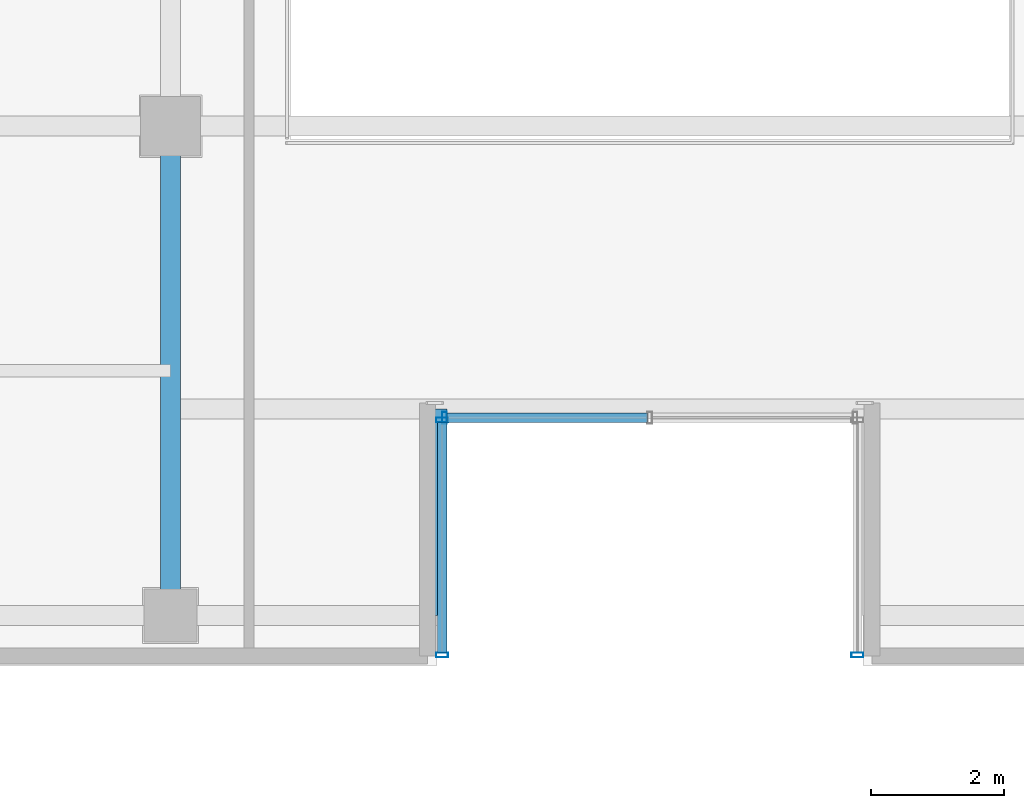
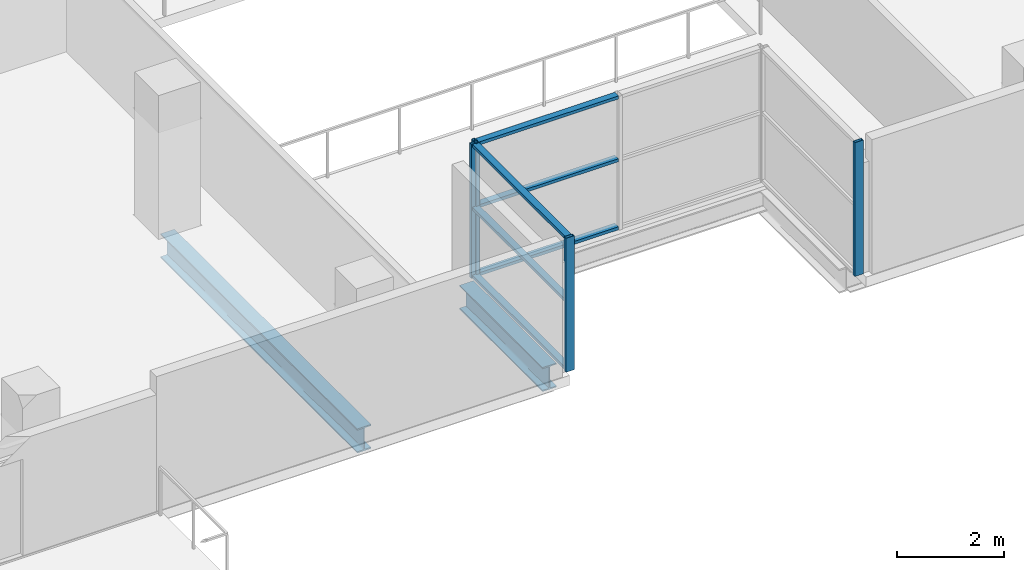
# One storey, part 6 of 25: 10 members, 2 beams, 3 elements without a shape of their own.
"""IFC4 building model written with IfcOpenShell, lengths in metres."""

from ifc_helpers import new_model, si_unit, direction, frame, origin, origin_2d, place, context, subcontext, project, spatial, hollow_rectangle, i_section, extrude, source, transform, mapped, material, layer, layer_set, material_profile, profile_set, type_object, element, aggregate, save


model = new_model("IFC4")

# Units and contexts
model_context = context("Model", 3, precision=1e-05, world=origin(), true_north=direction((0.0, 1.0)))
body_context = subcontext(model_context, "Body", "Model", "MODEL_VIEW")
ifc_project = project(units=[si_unit("LENGTHUNIT", "METRE"), si_unit("AREAUNIT", "SQUARE_METRE"), si_unit("VOLUMEUNIT", "CUBIC_METRE"), si_unit("PLANEANGLEUNIT", "RADIAN"), si_unit("MASSUNIT", "GRAM", prefix="KILO")], contexts=[model_context])

# Site, building, storey
site_placement = place(None, origin())
site = spatial("IfcSite", under=ifc_project, at=site_placement, CompositionType="ELEMENT")
building_placement = place(site_placement, origin())
building = spatial("IfcBuilding", under=site, at=building_placement, Name="Zarnakvel Exchange Tower", CompositionType="ELEMENT")
storey_placement = place(building_placement, frame((0.0, 0.0, 126.39990234375)))
storey = spatial("IfcBuildingStorey", under=building, at=storey_placement, Name="L35", CompositionType="ELEMENT", Elevation=126.39990234375)

# Beams
ifc_material_1 = material(Name="Steel S355", Category="steel")
ifc_material_profile_1 = material_profile(ifc_material_1, i_section(OverallWidth=0.300048828125, OverallDepth=0.550048828125, WebThickness=0.014892578125, FlangeThickness=0.029052734375, FilletRadius=0.027099609375, at=origin_2d()))
ifc_profile_set_1 = profile_set([ifc_material_profile_1], Name="Steel S355")
beam_type = type_object("IfcBeamType", Name="G-05", PredefinedType="BEAM", material=ifc_profile_set_1)
beam_1_placement = place(storey_placement, frame((-3.199951171875, -16.949951171875, -0.5), z_axis=(0.0, 1.0, 0.0), x_axis=(-1.0, 0.0, 0.0)))
element("IfcBeam", 1, at=beam_1_placement, inside=storey, type_object=beam_type, Name="L35 South Slot West Cheek Beam", PredefinedType="BEAM", context=body_context, shape_type="SweptSolid", body=[
    extrude(i_section(OverallWidth=0.300048828125, OverallDepth=0.550048828125, WebThickness=0.014892578125, FlangeThickness=0.029052734375, FilletRadius=0.027099609375, at=origin_2d()), origin(), (0.0, 0.0, 1.0), 3.099853515625),
])
beam_2_placement = place(storey_placement, frame((-7.199951171875, -16.949951171875, -0.5), z_axis=(0.0, 1.0, 0.0), x_axis=(-1.0, 0.0, 0.0)))
element("IfcBeam", 2, at=beam_2_placement, inside=storey, type_object=beam_type, Name="L35 Tower N-S Frame Beam", PredefinedType="BEAM", context=body_context, shape_type="SweptSolid", body=[
    extrude(i_section(OverallWidth=0.300048828125, OverallDepth=0.550048828125, WebThickness=0.014892578125, FlangeThickness=0.029052734375, FilletRadius=0.027099609375, at=origin_2d()), origin(), (0.0, 0.0, 1.0), 7.349853515625),
])

# Curtain wall, members
ifc_material_2 = material(Name="Architectural Bronze Anodised Aluminium", Category="aluminium")
ifc_layer = layer(ifc_material_2, 0.179931640625)
ifc_layer_set = layer_set([ifc_layer], Name="Architectural Bronze Anodised Aluminium")
curtain_wall_type = type_object("IfcCurtainWallType", Name="CW-05", PredefinedType="NOTDEFINED", material=ifc_layer_set)
curtain_wall_1_placement = place(storey_placement, origin())
curtain_wall_1 = element("IfcCurtainWall", 3, at=curtain_wall_1_placement, inside=storey, type_object=curtain_wall_type, Name="L35 Curtain Wall CW-L35-SLW (CW-05)", PredefinedType="NOTDEFINED")
ifc_material_profile_2 = material_profile(ifc_material_2, hollow_rectangle(XDim=0.179931640625, YDim=0.070068359375, WallThickness=0.00390625, at=origin_2d()))
ifc_profile_set_2 = profile_set([ifc_material_profile_2], Name="Architectural Bronze Anodised Aluminium")
member_type_1 = type_object("IfcMemberType", Name="CWM-05", PredefinedType="MULLION", material=ifc_profile_set_2)
shared_shape_1 = source(origin(), body_context, "Body", "SweptSolid", [
    extrude(hollow_rectangle(XDim=0.179931640625, YDim=0.070068359375, WallThickness=0.00390625, at=origin_2d()), origin(), (0.0, 0.0, 1.0), 3.05517578125),
])
member_1_placement = place(storey_placement, frame((-3.1201171875, -17.544921875, 0.0), z_axis=(0.0, 0.0, 1.0), x_axis=(-1.0, 0.0, 0.0)))
member_1 = element("IfcMember", 4, at=member_1_placement, type_object=member_type_1, Name="CW-05 mullion 1", PredefinedType="MULLION", context=body_context, shape_type="MappedRepresentation", body=[
    mapped(shared_shape_1, transform((0.0, 0.0, 0.0), x_axis=(1.0, 0.0, 0.0), y_axis=(0.0, 1.0, 0.0), z_axis=(0.0, 0.0, 1.0), scale=1.0)),
])
member_2_placement = place(storey_placement, frame((-3.1201171875, -14.014892578125, 0.0), z_axis=(0.0, 0.0, 1.0), x_axis=(-1.0, 0.0, 0.0)))
member_2 = element("IfcMember", 5, at=member_2_placement, type_object=member_type_1, Name="CW-05 mullion 2", PredefinedType="MULLION", context=body_context, shape_type="MappedRepresentation", body=[
    mapped(shared_shape_1, transform((0.0, 0.0, 0.0), x_axis=(1.0, 0.0, 0.0), y_axis=(0.0, 1.0, 0.0), z_axis=(0.0, 0.0, 1.0), scale=1.0)),
])

# Curtain wall, member
curtain_wall_2_placement = place(storey_placement, origin())
curtain_wall_2 = element("IfcCurtainWall", 6, at=curtain_wall_2_placement, inside=storey, type_object=curtain_wall_type, Name="L35 Curtain Wall CW-L35-SLB (CW-05)", PredefinedType="NOTDEFINED")
member_3_placement = place(storey_placement, frame((-3.0849609375, -13.97998046875, 0.0), z_axis=(0.0, 0.0, 1.0), x_axis=(0.0, 1.0, 0.0)))
member_3 = element("IfcMember", 7, at=member_3_placement, type_object=member_type_1, Name="CW-05 mullion 1", PredefinedType="MULLION", context=body_context, shape_type="MappedRepresentation", body=[
    mapped(shared_shape_1, transform((0.0, 0.0, 0.0), x_axis=(1.0, 0.0, 0.0), y_axis=(0.0, 1.0, 0.0), z_axis=(0.0, 0.0, 1.0), scale=1.0)),
])

curtain_wall_3_placement = place(storey_placement, origin())
curtain_wall_3 = element("IfcCurtainWall", 8, at=curtain_wall_3_placement, inside=storey, type_object=curtain_wall_type, Name="L35 Curtain Wall CW-L35-SLE (CW-05)", PredefinedType="NOTDEFINED")
member_4_placement = place(storey_placement, frame((3.1201171875, -17.544921875, 0.0), z_axis=(0.0, 0.0, 1.0), x_axis=(1.0, 0.0, 0.0)))
member_4 = element("IfcMember", 9, at=member_4_placement, type_object=member_type_1, Name="CW-05 mullion 2", PredefinedType="MULLION", context=body_context, shape_type="MappedRepresentation", body=[
    mapped(shared_shape_1, transform((0.0, 0.0, 0.0), x_axis=(1.0, 0.0, 0.0), y_axis=(0.0, 1.0, 0.0), z_axis=(0.0, 0.0, 1.0), scale=1.0)),
])
aggregate(curtain_wall_3, [member_4])

# Member
ifc_material_profile_3 = material_profile(ifc_material_2, hollow_rectangle(XDim=0.139892578125, YDim=0.070068359375, WallThickness=0.00390625, at=origin_2d()))
ifc_profile_set_3 = profile_set([ifc_material_profile_3], Name="Architectural Bronze Anodised Aluminium")
member_type_2 = type_object("IfcMemberType", Name="CWT-05", PredefinedType="USERDEFINED", material=ifc_profile_set_3)
shared_shape_2 = source(origin(), body_context, "Body", "SweptSolid", [
    extrude(hollow_rectangle(XDim=0.139892578125, YDim=0.070068359375, WallThickness=0.00390625, at=origin_2d()), origin(), (0.0, 0.0, 1.0), 3.4599609375),
])
member_5_placement = place(storey_placement, frame((-3.1201171875, -17.510009765625, 0.03515625), z_axis=(0.0, 1.0, 0.0), x_axis=(-1.0, 0.0, 0.0)))
member_5 = element("IfcMember", 10, at=member_5_placement, type_object=member_type_2, Name="CW-05 transom 1.1", ObjectType="TRANSOM", PredefinedType="USERDEFINED", context=body_context, shape_type="MappedRepresentation", body=[
    mapped(shared_shape_2, transform((0.0, 0.0, 0.0), x_axis=(1.0, 0.0, 0.0), y_axis=(0.0, 1.0, 0.0), z_axis=(0.0, 0.0, 1.0), scale=1.0)),
])

member_6_placement = place(storey_placement, frame((-3.1201171875, -17.510009765625, 1.588623046875), z_axis=(0.0, 1.0, 0.0), x_axis=(-1.0, 0.0, 0.0)))
member_6 = element("IfcMember", 11, at=member_6_placement, type_object=member_type_2, Name="CW-05 transom 1.2", ObjectType="TRANSOM", PredefinedType="USERDEFINED", context=body_context, shape_type="MappedRepresentation", body=[
    mapped(shared_shape_2, transform((0.0, 0.0, 0.0), x_axis=(1.0, 0.0, 0.0), y_axis=(0.0, 1.0, 0.0), z_axis=(0.0, 0.0, 1.0), scale=1.0)),
])

member_7_placement = place(storey_placement, frame((-3.1201171875, -17.510009765625, 3.02001953125), z_axis=(0.0, 1.0, 0.0), x_axis=(-1.0, 0.0, 0.0)))
member_7 = element("IfcMember", 12, at=member_7_placement, type_object=member_type_2, Name="CW-05 transom 1.3", ObjectType="TRANSOM", PredefinedType="USERDEFINED", context=body_context, shape_type="MappedRepresentation", body=[
    mapped(shared_shape_2, transform((0.0, 0.0, 0.0), x_axis=(1.0, 0.0, 0.0), y_axis=(0.0, 1.0, 0.0), z_axis=(0.0, 0.0, 1.0), scale=1.0)),
])

aggregate(curtain_wall_1, [member_1, member_2, member_5, member_6, member_7])

shared_shape_3 = source(origin(), body_context, "Body", "SweptSolid", [
    extrude(hollow_rectangle(XDim=0.139892578125, YDim=0.070068359375, WallThickness=0.00390625, at=origin_2d()), origin(), (0.0, 0.0, 1.0), 3.01513671875),
])
member_8_placement = place(storey_placement, frame((-3.050048828125, -13.97998046875, 0.03515625), z_axis=(1.0, 0.0, 0.0), x_axis=(0.0, 1.0, 0.0)))
member_8 = element("IfcMember", 13, at=member_8_placement, type_object=member_type_2, Name="CW-05 transom 1.1", ObjectType="TRANSOM", PredefinedType="USERDEFINED", context=body_context, shape_type="MappedRepresentation", body=[
    mapped(shared_shape_3, transform((0.0, 0.0, 0.0), x_axis=(1.0, 0.0, 0.0), y_axis=(0.0, 1.0, 0.0), z_axis=(0.0, 0.0, 1.0), scale=1.0)),
])

member_9_placement = place(storey_placement, frame((-3.050048828125, -13.97998046875, 1.588623046875), z_axis=(1.0, 0.0, 0.0), x_axis=(0.0, 1.0, 0.0)))
member_9 = element("IfcMember", 14, at=member_9_placement, type_object=member_type_2, Name="CW-05 transom 1.2", ObjectType="TRANSOM", PredefinedType="USERDEFINED", context=body_context, shape_type="MappedRepresentation", body=[
    mapped(shared_shape_3, transform((0.0, 0.0, 0.0), x_axis=(1.0, 0.0, 0.0), y_axis=(0.0, 1.0, 0.0), z_axis=(0.0, 0.0, 1.0), scale=1.0)),
])

member_10_placement = place(storey_placement, frame((-3.050048828125, -13.97998046875, 3.02001953125), z_axis=(1.0, 0.0, 0.0), x_axis=(0.0, 1.0, 0.0)))
member_10 = element("IfcMember", 15, at=member_10_placement, type_object=member_type_2, Name="CW-05 transom 1.3", ObjectType="TRANSOM", PredefinedType="USERDEFINED", context=body_context, shape_type="MappedRepresentation", body=[
    mapped(shared_shape_3, transform((0.0, 0.0, 0.0), x_axis=(1.0, 0.0, 0.0), y_axis=(0.0, 1.0, 0.0), z_axis=(0.0, 0.0, 1.0), scale=1.0)),
])

aggregate(curtain_wall_2, [member_3, member_8, member_9, member_10])

save(model, "model.ifc")
